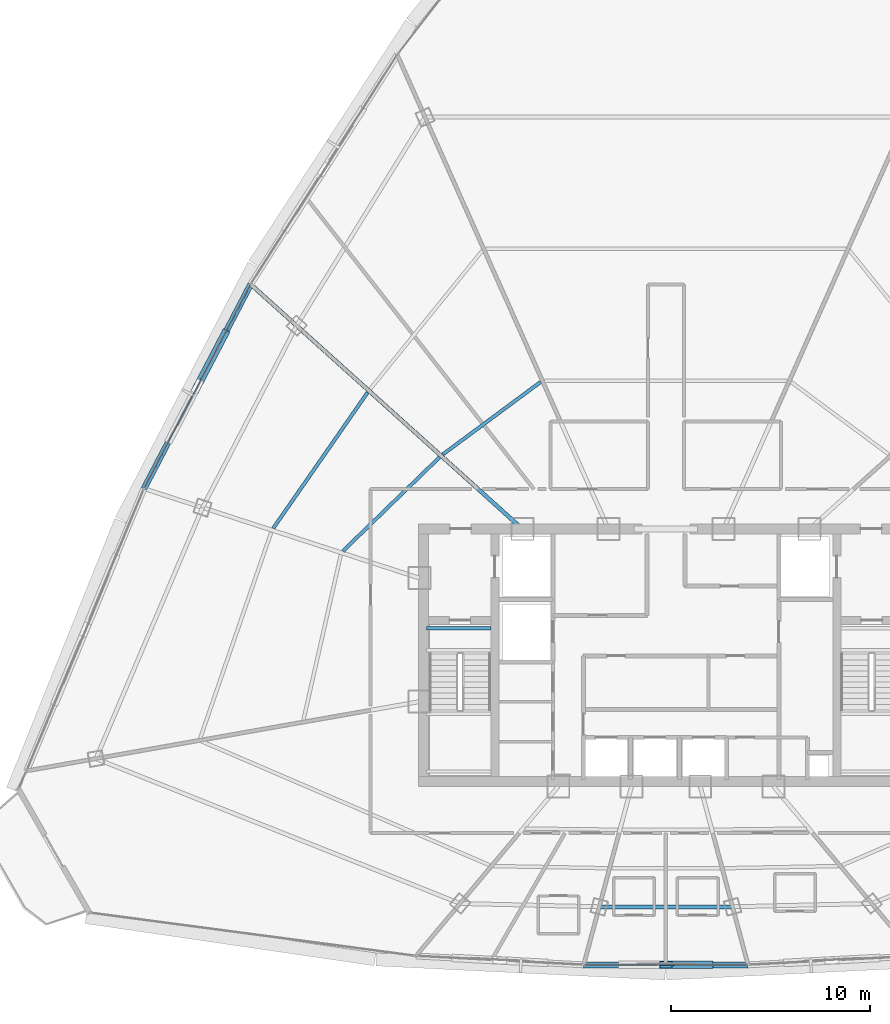
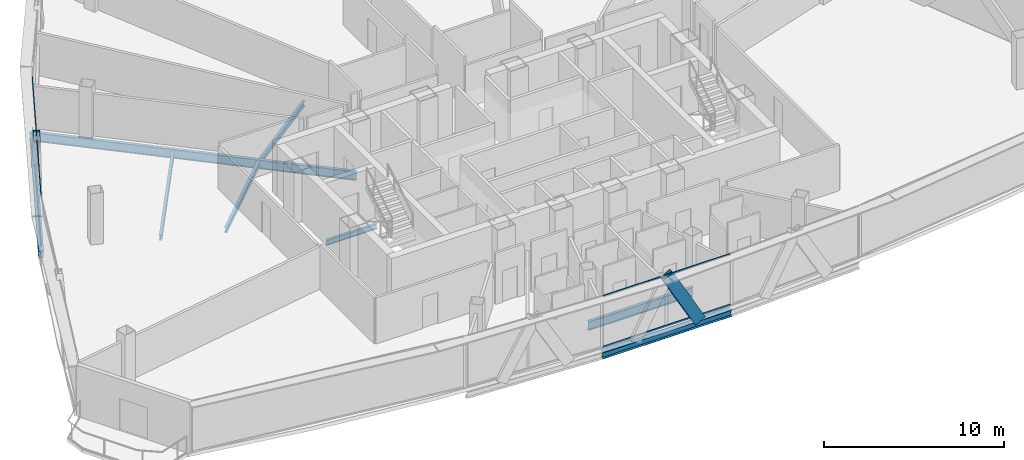
# One storey, part 9 of 37: 8 beams, 6 members, 2 elements without a shape of their own.
"""IFC4 building model written with IfcOpenShell, lengths in metres."""

from ifc_helpers import new_model, si_unit, direction, frame, origin, origin_2d, place, context, subcontext, project, spatial, hollow_rectangle, i_section, extrude, source, transform, mapped, material, layer, layer_set, material_profile, profile_set, type_object, element, aggregate, save


model = new_model("IFC4")

# Units and contexts
model_context = context("Model", 3, precision=1e-05, world=origin(), true_north=direction((0.0, 1.0)))
body_context = subcontext(model_context, "Body", "Model", "MODEL_VIEW")
ifc_project = project(units=[si_unit("LENGTHUNIT", "METRE"), si_unit("AREAUNIT", "SQUARE_METRE"), si_unit("VOLUMEUNIT", "CUBIC_METRE"), si_unit("PLANEANGLEUNIT", "RADIAN"), si_unit("MASSUNIT", "GRAM", prefix="KILO"), si_unit("THERMODYNAMICTEMPERATUREUNIT", "KELVIN"), si_unit("POWERUNIT", "WATT")], contexts=[model_context])

# Site, building, storey
site_placement = place(None, origin())
site = spatial("IfcSite", under=ifc_project, at=site_placement, CompositionType="ELEMENT")
building_placement = place(site_placement, origin())
building = spatial("IfcBuilding", under=site, at=building_placement, Name="Yunzhuo Pagoda Commons", CompositionType="ELEMENT")
storey_placement = place(building_placement, frame((0.0, 0.0, 277.56005859375)))
storey = spatial("IfcBuildingStorey", under=building, at=storey_placement, Name="L69", CompositionType="ELEMENT", Elevation=277.56005859375)

# Beams
ifc_material_1 = material(Name="Structural steel Q355B", Category="steel")
ifc_material_profile_1 = material_profile(ifc_material_1, i_section(OverallWidth=0.175048828125, OverallDepth=0.35009765625, WebThickness=0.007080078125, FlangeThickness=0.010986328125, at=origin_2d()), Name="Structural steel Q355B")
ifc_profile_set_1 = profile_set([ifc_material_profile_1], Name="Structural steel Q355B")
beam_type_1 = type_object("IfcBeamType", Name="B-JS2 Joist HN 350x175x7x11", PredefinedType="JOIST", material=ifc_profile_set_1)
shared_shape_1 = source(origin(), body_context, "Body", "SweptSolid", [
    extrude(i_section(OverallWidth=0.175048828125, OverallDepth=0.35009765625, WebThickness=0.007080078125, FlangeThickness=0.010986328125, at=origin_2d()), origin(), (0.0, 0.0, 1.0), 3.25),
])
beam_1_placement = place(storey_placement, frame((35.949951171875, 35.199951171875, -0.375), z_axis=(1.0, 0.0, 0.0), x_axis=(0.0, 1.0, 0.0)))
element("IfcBeam", 1, at=beam_1_placement, inside=storey, type_object=beam_type_1, Name="L69 ST1 landing support beam 173B", PredefinedType="JOIST", context=body_context, shape_type="MappedRepresentation", body=[
    mapped(shared_shape_1, transform((0.0, 0.0, 0.0), scale=1.0)),
])
ifc_material_profile_2 = material_profile(ifc_material_1, i_section(OverallWidth=0.300048828125, OverallDepth=0.43994140625, WebThickness=0.010986328125, FlangeThickness=0.01806640625, at=origin_2d()), Name="Structural steel Q355B")
ifc_profile_set_2 = profile_set([ifc_material_profile_2], Name="Structural steel Q355B")
beam_type_2 = type_object("IfcBeamType", Name="B-SP2 Beam HM 440x300x11x18", PredefinedType="BEAM", material=ifc_profile_set_2)
shared_shape_2 = source(origin(), body_context, "Body", "SweptSolid", [
    extrude(i_section(OverallWidth=0.300048828125, OverallDepth=0.43994140625, WebThickness=0.010986328125, FlangeThickness=0.01806640625, at=origin_2d()), origin(), (0.0, 0.0, 1.0), 8.26611328125),
])
beam_2_placement = place(storey_placement, frame((43.866943359375, 18.275390625, -0.47998046875), z_axis=(1.0, 0.0, 0.0), x_axis=(0.0, 1.0, 0.0)))
element("IfcBeam", 2, at=beam_2_placement, inside=storey, type_object=beam_type_2, Name="L69 facade edge spandrel beam F1.2", PredefinedType="BEAM", context=body_context, shape_type="MappedRepresentation", body=[
    mapped(shared_shape_2, transform((0.0, 0.0, 0.0), scale=1.0)),
])
shared_shape_3 = source(origin(), body_context, "Body", "SweptSolid", [
    extrude(i_section(OverallWidth=0.300048828125, OverallDepth=0.43994140625, WebThickness=0.010986328125, FlangeThickness=0.01806640625, at=origin_2d()), origin(), (0.0, 0.0, 1.0), 11.591064453125),
])
beam_3_placement = place(storey_placement, frame((27.117431640625, 52.5029296875, -0.47998046875), z_axis=(-0.462915805382, -0.886402254695, 0.0), x_axis=(0.886402254695, -0.462915805382, 0.0)))
element("IfcBeam", 3, at=beam_3_placement, inside=storey, type_object=beam_type_2, Name="L69 facade edge spandrel beam F3.2", PredefinedType="BEAM", context=body_context, shape_type="MappedRepresentation", body=[
    mapped(shared_shape_3, transform((0.0, 0.0, 0.0), scale=1.0)),
])
ifc_material_profile_3 = material_profile(ifc_material_1, i_section(OverallWidth=0.199951171875, OverallDepth=0.60009765625, WebThickness=0.010986328125, FlangeThickness=0.01708984375, at=origin_2d()), Name="Structural steel Q355B")
ifc_profile_set_3 = profile_set([ifc_material_profile_3], Name="Structural steel Q355B")
beam_type_3 = type_object("IfcBeamType", Name="B-RG3 Beam HN 600x200x11x17", PredefinedType="BEAM", material=ifc_profile_set_3)
shared_shape_4 = source(origin(), body_context, "Body", "SweptSolid", [
    extrude(i_section(OverallWidth=0.199951171875, OverallDepth=0.60009765625, WebThickness=0.010986328125, FlangeThickness=0.01708984375, at=origin_2d()), origin(), (0.0, 0.0, 1.0), 18.2314453125),
])
beam_4_placement = place(storey_placement, frame((27.232421875, 52.399169921875, -0.56005859375), z_axis=(0.743144309, -0.669131179964, 0.0), x_axis=(0.669131179964, 0.743144309, 0.0)))
element("IfcBeam", 4, at=beam_4_placement, inside=storey, type_object=beam_type_3, Name="L69 radial floor girder F3C2", PredefinedType="BEAM", context=body_context, shape_type="MappedRepresentation", body=[
    mapped(shared_shape_4, transform((0.0, 0.0, 0.0), scale=1.0)),
])
shared_shape_5 = source(origin(), body_context, "Body", "SweptSolid", [
    extrude(i_section(OverallWidth=0.199951171875, OverallDepth=0.60009765625, WebThickness=0.010986328125, FlangeThickness=0.01708984375, at=origin_2d()), origin(), (0.0, 0.0, 1.0), 6.701171875),
])
beam_5_placement = place(storey_placement, frame((44.6494140625, 21.195556640625, -0.56005859375), z_axis=(1.0, 0.0, 0.0), x_axis=(0.0, 1.0, 0.0)))
element("IfcBeam", 5, at=beam_5_placement, inside=storey, type_object=beam_type_3, Name="L69 column-ring beam 2", PredefinedType="BEAM", context=body_context, shape_type="MappedRepresentation", body=[
    mapped(shared_shape_5, transform((0.0, 0.0, 0.0), scale=1.0)),
])
shared_shape_6 = source(origin(), body_context, "Body", "SweptSolid", [
    extrude(i_section(OverallWidth=0.175048828125, OverallDepth=0.35009765625, WebThickness=0.007080078125, FlangeThickness=0.010986328125, at=origin_2d()), origin(), (0.0, 0.0, 1.0), 6.767333984375),
])
beam_6_placement = place(storey_placement, frame((36.611083984375, 43.80029296875, -0.43505859375), z_axis=(-0.717207253673, -0.696859925149, 0.0), x_axis=(0.696859925149, -0.717207253673, 0.0)))
element("IfcBeam", 6, at=beam_6_placement, inside=storey, type_object=beam_type_1, Name="L69 composite ring joist 1.10", PredefinedType="JOIST", context=body_context, shape_type="MappedRepresentation", body=[
    mapped(shared_shape_6, transform((0.0, 0.0, 0.0), scale=1.0)),
])
shared_shape_7 = source(origin(), body_context, "Body", "SweptSolid", [
    extrude(i_section(OverallWidth=0.175048828125, OverallDepth=0.35009765625, WebThickness=0.007080078125, FlangeThickness=0.010986328125, at=origin_2d()), origin(), (0.0, 0.0, 1.0), 8.31103515625),
])
beam_7_placement = place(storey_placement, frame((32.994384765625, 47.0576171875, -0.43505859375), z_axis=(-0.570615989364, -0.821217019236, 0.0), x_axis=(0.821217019236, -0.570615989364, 0.0)))
element("IfcBeam", 7, at=beam_7_placement, inside=storey, type_object=beam_type_1, Name="L69 composite ring joist 2.10", PredefinedType="JOIST", context=body_context, shape_type="MappedRepresentation", body=[
    mapped(shared_shape_7, transform((0.0, 0.0, 0.0), scale=1.0)),
])
shared_shape_8 = source(origin(), body_context, "Body", "SweptSolid", [
    extrude(i_section(OverallWidth=0.175048828125, OverallDepth=0.35009765625, WebThickness=0.007080078125, FlangeThickness=0.010986328125, at=origin_2d()), origin(), (0.0, 0.0, 1.0), 6.109619140625),
])
beam_8_placement = place(storey_placement, frame((41.6943359375, 47.5869140625, -0.43505859375), z_axis=(-0.803396474468, -0.595444459888, 0.0), x_axis=(0.595444459888, -0.803396474468, 0.0)))
element("IfcBeam", 8, at=beam_8_placement, inside=storey, type_object=beam_type_1, Name="L69 composite ring joist 1.9", PredefinedType="JOIST", context=body_context, shape_type="MappedRepresentation", body=[
    mapped(shared_shape_8, transform((0.0, 0.0, 0.0), scale=1.0)),
])

# Members
ifc_material_profile_4 = material_profile(ifc_material_1, hollow_rectangle(XDim=0.3798828125, YDim=0.719970703125, WallThickness=0.02001953125, at=origin_2d()), Name="Structural steel Q355B")
ifc_profile_set_4 = profile_set([ifc_material_profile_4], Name="Structural steel Q355B")
member_type_1 = type_object("IfcMemberType", Name="M-DL3 Brace BOX 720x380x20", PredefinedType="BRACE", material=ifc_profile_set_4)
shared_shape_9 = source(origin(), body_context, "Body", "SweptSolid", [
    extrude(hollow_rectangle(XDim=0.3798828125, YDim=0.719970703125, WallThickness=0.02001953125, at=origin_2d()), origin(), (0.0, 0.0, 1.0), 4.26416015625),
])
member_1_placement = place(storey_placement, frame((50.06640625, 18.275390625, -0.260009765625), z_axis=(-0.4846022834, 0.0, 0.874734603708), x_axis=(0.0, -1.0, 0.0)))
element("IfcMember", 9, at=member_1_placement, inside=storey, type_object=member_type_1, Name="L69 facade diamond brace F1.2R", PredefinedType="BRACE", context=body_context, shape_type="MappedRepresentation", body=[
    mapped(shared_shape_9, transform((0.0, 0.0, 0.0), scale=1.0)),
])
shared_shape_10 = source(origin(), body_context, "Body", "SweptSolid", [
    extrude(hollow_rectangle(XDim=0.3798828125, YDim=0.719970703125, WallThickness=0.02001953125, at=origin_2d()), origin(), (0.0, 0.0, 1.0), 4.723388671875),
])
member_2_placement = place(storey_placement, frame((25.77587890625, 49.934326171875, -0.260009765625), z_axis=(-0.283976852439, -0.543815155536, 0.78969755216), x_axis=(0.886419539705, -0.462882706125, 0.0)))
element("IfcMember", 10, at=member_2_placement, inside=storey, type_object=member_type_1, Name="L69 facade diamond brace F3.2L", PredefinedType="BRACE", context=body_context, shape_type="MappedRepresentation", body=[
    mapped(shared_shape_10, transform((0.0, 0.0, 0.0), scale=1.0)),
])

# Curtain wall, members
ifc_material_2 = material(Name="Anodized aluminium 6063-T6", Category="aluminium")
ifc_layer = layer(ifc_material_2, 0.139892578125)
ifc_layer_set = layer_set([ifc_layer], Name="Anodized aluminium 6063-T6")
curtain_wall_type = type_object("IfcCurtainWallType", Name="CW-HI High-Zone Ribbon Curtain Wall", PredefinedType="NOTDEFINED", material=ifc_layer_set)
curtain_wall_1_placement = place(storey_placement, origin())
curtain_wall_1 = element("IfcCurtainWall", 11, at=curtain_wall_1_placement, inside=storey, type_object=curtain_wall_type, Name="L69 curtain wall CW-L69-F1B3", PredefinedType="NOTDEFINED")
ifc_material_profile_5 = material_profile(ifc_material_2, hollow_rectangle(XDim=0.054931640625, YDim=0.1201171875, WallThickness=0.00341796875, at=origin_2d()), Name="Anodized aluminium 6063-T6")
ifc_profile_set_5 = profile_set([ifc_material_profile_5], Name="Anodized aluminium 6063-T6")
member_type_2 = type_object("IfcMemberType", Name="CW-HI-T Transom RHS 120x55x3.5", PredefinedType="USERDEFINED", material=ifc_profile_set_5)
shared_shape_11 = source(origin(), body_context, "Body", "SweptSolid", [
    extrude(hollow_rectangle(XDim=0.054931640625, YDim=0.1201171875, WallThickness=0.00341796875, at=origin_2d()), origin(), (0.0, 0.0, 1.0), 8.14599609375),
])
member_3_placement = place(storey_placement, frame((43.927001953125, 18.275390625, 0.02734375), z_axis=(1.0, 0.0, 0.0), x_axis=(0.0, 1.0, 0.0)))
member_3 = element("IfcMember", 12, at=member_3_placement, type_object=member_type_2, Name="CW transom 1.1", ObjectType="TRANSOM", PredefinedType="USERDEFINED", context=body_context, shape_type="MappedRepresentation", body=[
    mapped(shared_shape_11, transform((0.0, 0.0, 0.0), scale=1.0)),
])
member_4_placement = place(storey_placement, frame((43.927001953125, 18.275390625, 3.4423828125), z_axis=(1.0, 0.0, 0.0), x_axis=(0.0, 1.0, 0.0)))
member_4 = element("IfcMember", 13, at=member_4_placement, type_object=member_type_2, Name="CW transom 1.2", ObjectType="TRANSOM", PredefinedType="USERDEFINED", context=body_context, shape_type="MappedRepresentation", body=[
    mapped(shared_shape_11, transform((0.0, 0.0, 0.0), scale=1.0)),
])
aggregate(curtain_wall_1, [member_3, member_4])

curtain_wall_2_placement = place(storey_placement, origin())
curtain_wall_2 = element("IfcCurtainWall", 14, at=curtain_wall_2_placement, inside=storey, type_object=curtain_wall_type, Name="L69 curtain wall CW-L69-F3B3", PredefinedType="NOTDEFINED")
shared_shape_12 = source(origin(), body_context, "Body", "SweptSolid", [
    extrude(hollow_rectangle(XDim=0.054931640625, YDim=0.1201171875, WallThickness=0.00341796875, at=origin_2d()), origin(), (0.0, 0.0, 1.0), 11.470947265625),
])
member_5_placement = place(storey_placement, frame((27.089599609375, 52.44970703125, 0.02734375), z_axis=(-0.462910741435, -0.886404899278, 0.0), x_axis=(0.886404899278, -0.462910741435, 0.0)))
member_5 = element("IfcMember", 15, at=member_5_placement, type_object=member_type_2, Name="CW transom 1.1", ObjectType="TRANSOM", PredefinedType="USERDEFINED", context=body_context, shape_type="MappedRepresentation", body=[
    mapped(shared_shape_12, transform((0.0, 0.0, 0.0), scale=1.0)),
])
member_6_placement = place(storey_placement, frame((27.089599609375, 52.44970703125, 3.4423828125), z_axis=(-0.462910741435, -0.886404899278, 0.0), x_axis=(0.886404899278, -0.462910741435, 0.0)))
member_6 = element("IfcMember", 16, at=member_6_placement, type_object=member_type_2, Name="CW transom 1.2", ObjectType="TRANSOM", PredefinedType="USERDEFINED", context=body_context, shape_type="MappedRepresentation", body=[
    mapped(shared_shape_12, transform((0.0, 0.0, 0.0), scale=1.0)),
])
aggregate(curtain_wall_2, [member_5, member_6])

save(model, "model.ifc")
